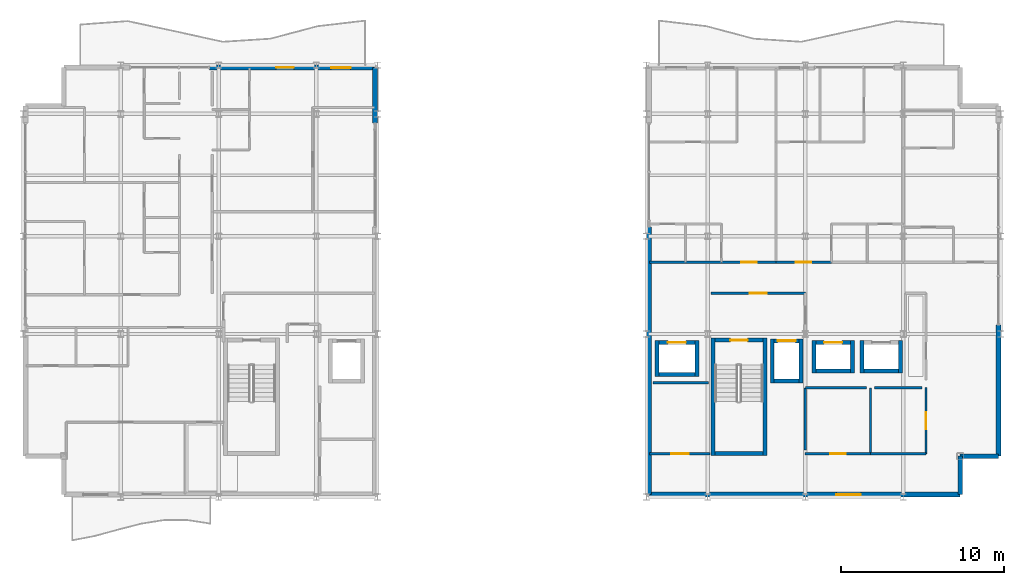
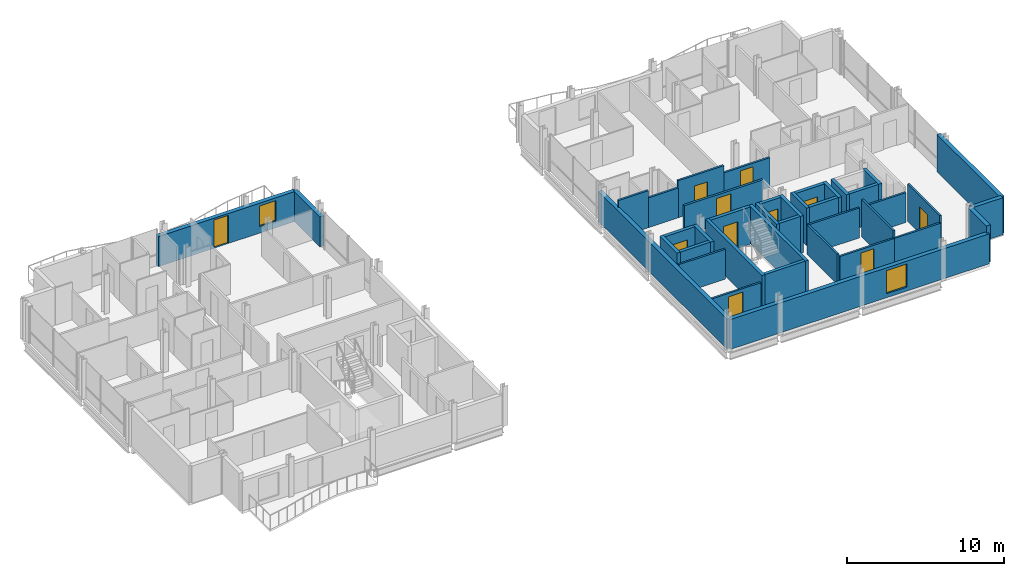
# One storey, part 25 of 29: 40 walls, 11 doors, 2 windows, 13 openings.
"""IFC4 building model written with IfcOpenShell, lengths in metres."""

from ifc_helpers import new_model, si_unit, direction, frame, frame_2d, origin, place, context, subcontext, project, spatial, rectangle, extrude, material, layer, layer_set, type_object, element, fill, save


model = new_model("IFC4")

# Units and contexts
model_context = context("Model", 3, precision=1e-05, world=origin(), true_north=direction((0.0, 1.0)))
body_context = subcontext(model_context, "Body", "Model", "MODEL_VIEW")
ifc_project = project(units=[si_unit("LENGTHUNIT", "METRE"), si_unit("AREAUNIT", "SQUARE_METRE"), si_unit("VOLUMEUNIT", "CUBIC_METRE"), si_unit("PLANEANGLEUNIT", "RADIAN"), si_unit("MASSUNIT", "GRAM", prefix="KILO")], contexts=[model_context])

# Site, building, storey
site_placement = place(None, origin())
site = spatial("IfcSite", under=ifc_project, at=site_placement, CompositionType="ELEMENT")
building_placement = place(site_placement, origin())
building = spatial("IfcBuilding", under=site, at=building_placement, Name="Brevholm Reach", CompositionType="ELEMENT")
storey_placement = place(building_placement, frame((0.0, 0.0, 201.800048828125)))
storey = spatial("IfcBuildingStorey", under=building, at=storey_placement, Name="L61", CompositionType="ELEMENT", Elevation=201.800048828125)

# Walls
ifc_material_1 = material(Name="Concrete C45/55", Category="concrete")
ifc_layer_1 = layer(ifc_material_1, 0.239990234375)
ifc_layer_set_1 = layer_set([ifc_layer_1], Name="Concrete C45/55")
wall_type_1 = type_object("IfcWallType", Name="WAL-COR-240", PredefinedType="SHEAR", material=ifc_layer_set_1)
for number, where, z_axis, x_axis, name in (
    (1, (42.330078125, 2.5400390625, 0.0), (0.0, 0.0, 1.0), (0.0, 1.0, 0.0), "L61 Escape Stair ST-2 Core Wall W"),
    (2, (45.52001953125, 2.5400390625, 0.0), (0.0, 0.0, 1.0), (0.0, 1.0, 0.0), "L61 Escape Stair ST-2 Core Wall E"),
):
    element("IfcWall", number, at=place(storey_placement, frame(where, z_axis=z_axis, x_axis=x_axis)), inside=storey, type_object=wall_type_1, Name=name, PredefinedType="SHEAR", context=body_context, shape_type="SweptSolid", body=[
        extrude(rectangle(XDim=7.199951171875, YDim=0.239990234375, at=frame_2d((3.60009765625, 0.0))), origin(), (0.0, 0.0, 1.0), 2.889892578125),
    ])
wall_1_placement = place(storey_placement, frame((42.449951171875, 2.659912109375, 0.0), z_axis=(0.0, 0.0, 1.0), x_axis=(1.0, 0.0, 0.0)))
element("IfcWall", 3, at=wall_1_placement, inside=storey, type_object=wall_type_1, Name="L61 Escape Stair ST-2 Core Wall S", PredefinedType="SHEAR", context=body_context, shape_type="SweptSolid", body=[
    extrude(rectangle(XDim=2.949951171875, YDim=0.239990234375, at=frame_2d((1.47509765625, 0.0))), origin(), (0.0, 0.0, 1.0), 2.889892578125),
])

# Wall, opening, door
wall_2_placement = place(storey_placement, frame((45.39990234375, 9.6201171875, 0.0), z_axis=(0.0, 0.0, 1.0), x_axis=(-1.0, 0.0, 0.0)))
wall_2 = element("IfcWall", 4, at=wall_2_placement, inside=storey, type_object=wall_type_1, Name="L61 Escape Stair ST-2 Core Wall N", PredefinedType="SHEAR", context=body_context, shape_type="SweptSolid", body=[
    extrude(rectangle(XDim=2.949951171875, YDim=0.239990234375, at=frame_2d((1.47509765625, 0.0))), origin(), (0.0, 0.0, 1.0), 2.889892578125),
])
opening_1_placement = place(wall_2_placement, frame((0.949951171875, 0.0, 0.0)))
opening_1 = element("IfcOpeningElement", 5, at=opening_1_placement, cuts=wall_2, Name="Opening SD-ST-2", PredefinedType="OPENING", context=body_context, shape_type="SweptSolid", body=[
    extrude(rectangle(XDim=1.050048828125, YDim=2.06005859375, at=frame_2d((0.52490234375, 1.030029296875))), frame((0.0, 0.1298828125, 0.0), z_axis=(0.0, -1.0, 0.0), x_axis=(1.0, 0.0, 0.0)), (0.0, 0.0, 1.0), 0.260009765625),
])
ifc_material_2 = material(Name="Hardwood-Lipped Steel-Core Fire and Smoke Door", Category="steel")
door_type_1 = type_object("IfcDoorType", Name="DOR-INT-FD60S", OperationType="NOTDEFINED", PredefinedType="DOOR", material=ifc_material_2)
door_1_placement = place(opening_1_placement, origin())
door_1 = element("IfcDoor", 6, at=door_1_placement, inside=storey, type_object=door_type_1, Name="L61 Protected Stair ST-2 Lobby Door", OperationType="SINGLE_SWING_RIGHT", OverallHeight=2.06005859375, OverallWidth=1.050048828125, PredefinedType="DOOR", context=body_context, shape_type="SweptSolid", body=[
    extrude(rectangle(XDim=1.050048828125, YDim=2.06005859375, at=frame_2d((0.52490234375, 1.030029296875))), frame((0.0, 0.02490234375, 0.0), z_axis=(0.0, -1.0, 0.0), x_axis=(1.0, 0.0, 0.0)), (0.0, 0.0, 1.0), 0.050048828125),
])
fill(opening_1, door_1)

# Walls
for number, where, z_axis, x_axis, name in (
    (7, (45.969970703125, 7.0, 0.0), (0.0, 0.0, 1.0), (0.0, 1.0, 0.0), "L61 Lift FFL-2 Shaft Wall W"),
    (8, (47.72998046875, 7.0, 0.0), (0.0, 0.0, 1.0), (0.0, 1.0, 0.0), "L61 Lift FFL-2 Shaft Wall E"),
):
    element("IfcWall", number, at=place(storey_placement, frame(where, z_axis=z_axis, x_axis=x_axis)), inside=storey, type_object=wall_type_1, Name=name, PredefinedType="SHEAR", context=body_context, shape_type="SweptSolid", body=[
        extrude(rectangle(XDim=2.699951171875, YDim=0.239990234375, at=frame_2d((1.35009765625, 0.0))), origin(), (0.0, 0.0, 1.0), 2.889892578125),
    ])
wall_3_placement = place(storey_placement, frame((46.090087890625, 7.1201171875, 0.0), z_axis=(0.0, 0.0, 1.0), x_axis=(1.0, 0.0, 0.0)))
element("IfcWall", 9, at=wall_3_placement, inside=storey, type_object=wall_type_1, Name="L61 Lift FFL-2 Shaft Wall S", PredefinedType="SHEAR", context=body_context, shape_type="SweptSolid", body=[
    extrude(rectangle(XDim=1.52001953125, YDim=0.239990234375, at=frame_2d((0.760009765625, 0.0))), origin(), (0.0, 0.0, 1.0), 2.889892578125),
])

# Wall, opening, door
wall_4_placement = place(storey_placement, frame((46.090087890625, 9.580078125, 0.0), z_axis=(0.0, 0.0, 1.0), x_axis=(1.0, 0.0, 0.0)))
wall_4 = element("IfcWall", 10, at=wall_4_placement, inside=storey, type_object=wall_type_1, Name="L61 Lift FFL-2 Shaft Wall N", PredefinedType="SHEAR", context=body_context, shape_type="SweptSolid", body=[
    extrude(rectangle(XDim=1.52001953125, YDim=0.239990234375, at=frame_2d((0.760009765625, 0.0))), origin(), (0.0, 0.0, 1.0), 2.889892578125),
])
opening_2_placement = place(wall_4_placement, frame((0.2099609375, 0.0, 0.0)))
opening_2 = element("IfcOpeningElement", 11, at=opening_2_placement, cuts=wall_4, Name="Opening LD-FFL-2", PredefinedType="OPENING", context=body_context, shape_type="SweptSolid", body=[
    extrude(rectangle(XDim=1.10009765625, YDim=2.06005859375, at=frame_2d((0.550048828125, 1.030029296875))), frame((0.0, 0.1298828125, 0.0), z_axis=(0.0, -1.0, 0.0), x_axis=(1.0, 0.0, 0.0)), (0.0, 0.0, 1.0), 0.260009765625),
])
ifc_material_3 = material(Name="Brushed Stainless Steel Fire-Rated Sliding Lift Door", Category="steel")
door_type_2 = type_object("IfcDoorType", Name="DOR-LFT-1100", OperationType="NOTDEFINED", PredefinedType="DOOR", material=ifc_material_3)
door_2_placement = place(opening_2_placement, origin())
door_2 = element("IfcDoor", 12, at=door_2_placement, inside=storey, type_object=door_type_2, Name="L61 Lift FFL-2 Sliding Landing Door", OperationType="SLIDING_TO_RIGHT", OverallHeight=2.06005859375, OverallWidth=1.10009765625, PredefinedType="DOOR", context=body_context, shape_type="SweptSolid", body=[
    extrude(rectangle(XDim=1.10009765625, YDim=2.06005859375, at=frame_2d((0.550048828125, 1.030029296875))), frame((0.0, 0.02490234375, 0.0), z_axis=(0.0, -1.0, 0.0), x_axis=(1.0, 0.0, 0.0)), (0.0, 0.0, 1.0), 0.050048828125),
])
fill(opening_2, door_2)

# Walls
for number, where, z_axis, x_axis, name in (
    (13, (38.889892578125, 7.39990234375, 0.0), (0.0, 0.0, 1.0), (0.0, 1.0, 0.0), "L61 Lift PL-S1 Shaft Wall W"),
    (14, (41.35009765625, 7.39990234375, 0.0), (0.0, 0.0, 1.0), (0.0, 1.0, 0.0), "L61 Lift PL-S1 Shaft Wall E"),
):
    element("IfcWall", number, at=place(storey_placement, frame(where, z_axis=z_axis, x_axis=x_axis)), inside=storey, type_object=wall_type_1, Name=name, PredefinedType="SHEAR", context=body_context, shape_type="SweptSolid", body=[
        extrude(rectangle(XDim=2.2001953125, YDim=0.239990234375, at=frame_2d((1.10009765625, 0.0))), origin(), (0.0, 0.0, 1.0), 2.889892578125),
    ])
wall_5_placement = place(storey_placement, frame((39.010009765625, 7.52001953125, 0.0), z_axis=(0.0, 0.0, 1.0), x_axis=(1.0, 0.0, 0.0)))
element("IfcWall", 15, at=wall_5_placement, inside=storey, type_object=wall_type_1, Name="L61 Lift PL-S1 Shaft Wall S", PredefinedType="SHEAR", context=body_context, shape_type="SweptSolid", body=[
    extrude(rectangle(XDim=2.219970703125, YDim=0.239990234375, at=frame_2d((1.10986328125, 0.0))), origin(), (0.0, 0.0, 1.0), 2.889892578125),
])

# Wall, opening, door
wall_6_placement = place(storey_placement, frame((39.010009765625, 9.47998046875, 0.0), z_axis=(0.0, 0.0, 1.0), x_axis=(1.0, 0.0, 0.0)))
wall_6 = element("IfcWall", 16, at=wall_6_placement, inside=storey, type_object=wall_type_1, Name="L61 Lift PL-S1 Shaft Wall N", PredefinedType="SHEAR", context=body_context, shape_type="SweptSolid", body=[
    extrude(rectangle(XDim=2.219970703125, YDim=0.239990234375, at=frame_2d((1.10986328125, 0.0))), origin(), (0.0, 0.0, 1.0), 2.889892578125),
])
opening_3_placement = place(wall_6_placement, frame((0.56005859375, 0.0, 0.0)))
opening_3 = element("IfcOpeningElement", 17, at=opening_3_placement, cuts=wall_6, Name="Opening LD-PL-S1", PredefinedType="OPENING", context=body_context, shape_type="SweptSolid", body=[
    extrude(rectangle(XDim=1.10009765625, YDim=2.06005859375, at=frame_2d((0.550048828125, 1.030029296875))), frame((0.0, 0.1298828125, 0.0), z_axis=(0.0, -1.0, 0.0), x_axis=(1.0, 0.0, 0.0)), (0.0, 0.0, 1.0), 0.260009765625),
])
door_3_placement = place(opening_3_placement, origin())
door_3 = element("IfcDoor", 18, at=door_3_placement, inside=storey, type_object=door_type_2, Name="L61 Lift PL-S1 Sliding Landing Door", OperationType="SLIDING_TO_LEFT", OverallHeight=2.06005859375, OverallWidth=1.10009765625, PredefinedType="DOOR", context=body_context, shape_type="SweptSolid", body=[
    extrude(rectangle(XDim=1.10009765625, YDim=2.06005859375, at=frame_2d((0.550048828125, 1.030029296875))), frame((0.0, 0.02490234375, 0.0), z_axis=(0.0, -1.0, 0.0), x_axis=(1.0, 0.0, 0.0)), (0.0, 0.0, 1.0), 0.050048828125),
])
fill(opening_3, door_3)

# Walls
for number, where, z_axis, x_axis, name in (
    (19, (48.52001953125, 7.60009765625, 0.0), (0.0, 0.0, 1.0), (0.0, 1.0, 0.0), "L61 Lift PL-H1 Shaft Wall W"),
    (20, (50.8798828125, 7.60009765625, 0.0), (0.0, 0.0, 1.0), (0.0, 1.0, 0.0), "L61 Lift PL-H1 Shaft Wall E"),
):
    element("IfcWall", number, at=place(storey_placement, frame(where, z_axis=z_axis, x_axis=x_axis)), inside=storey, type_object=wall_type_1, Name=name, PredefinedType="SHEAR", context=body_context, shape_type="SweptSolid", body=[
        extrude(rectangle(XDim=2.0, YDim=0.239990234375, at=frame_2d((1.0, 0.0))), origin(), (0.0, 0.0, 1.0), 2.889892578125),
    ])
wall_7_placement = place(storey_placement, frame((48.639892578125, 7.719970703125, 0.0), z_axis=(0.0, 0.0, 1.0), x_axis=(1.0, 0.0, 0.0)))
element("IfcWall", 21, at=wall_7_placement, inside=storey, type_object=wall_type_1, Name="L61 Lift PL-H1 Shaft Wall S", PredefinedType="SHEAR", context=body_context, shape_type="SweptSolid", body=[
    extrude(rectangle(XDim=2.1201171875, YDim=0.239990234375, at=frame_2d((1.06005859375, 0.0))), origin(), (0.0, 0.0, 1.0), 2.889892578125),
])

# Wall, opening, door
wall_8_placement = place(storey_placement, frame((48.639892578125, 9.47998046875, 0.0), z_axis=(0.0, 0.0, 1.0), x_axis=(1.0, 0.0, 0.0)))
wall_8 = element("IfcWall", 22, at=wall_8_placement, inside=storey, type_object=wall_type_1, Name="L61 Lift PL-H1 Shaft Wall N", PredefinedType="SHEAR", context=body_context, shape_type="SweptSolid", body=[
    extrude(rectangle(XDim=2.1201171875, YDim=0.239990234375, at=frame_2d((1.06005859375, 0.0))), origin(), (0.0, 0.0, 1.0), 2.889892578125),
])
opening_4_placement = place(wall_8_placement, frame((0.510009765625, 0.0, 0.0)))
opening_4 = element("IfcOpeningElement", 23, at=opening_4_placement, cuts=wall_8, Name="Opening LD-PL-H1", PredefinedType="OPENING", context=body_context, shape_type="SweptSolid", body=[
    extrude(rectangle(XDim=1.10009765625, YDim=2.06005859375, at=frame_2d((0.550048828125, 1.030029296875))), frame((0.0, 0.1298828125, 0.0), z_axis=(0.0, -1.0, 0.0), x_axis=(1.0, 0.0, 0.0)), (0.0, 0.0, 1.0), 0.260009765625),
])
door_4_placement = place(opening_4_placement, origin())
door_4 = element("IfcDoor", 24, at=door_4_placement, inside=storey, type_object=door_type_2, Name="L61 Lift PL-H1 Sliding Landing Door", OperationType="SLIDING_TO_RIGHT", OverallHeight=2.06005859375, OverallWidth=1.10009765625, PredefinedType="DOOR", context=body_context, shape_type="SweptSolid", body=[
    extrude(rectangle(XDim=1.10009765625, YDim=2.06005859375, at=frame_2d((0.550048828125, 1.030029296875))), frame((0.0, 0.02490234375, 0.0), z_axis=(0.0, -1.0, 0.0), x_axis=(1.0, 0.0, 0.0)), (0.0, 0.0, 1.0), 0.050048828125),
])
fill(opening_4, door_4)

# Walls
for number, where, z_axis, x_axis, name in (
    (25, (51.469970703125, 7.60009765625, 0.0), (0.0, 0.0, 1.0), (0.0, 1.0, 0.0), "L61 Lift PL-H2 Shaft Wall W"),
    (26, (53.830078125, 7.60009765625, 0.0), (0.0, 0.0, 1.0), (0.0, 1.0, 0.0), "L61 Lift PL-H2 Shaft Wall E"),
):
    element("IfcWall", number, at=place(storey_placement, frame(where, z_axis=z_axis, x_axis=x_axis)), inside=storey, type_object=wall_type_1, Name=name, PredefinedType="SHEAR", context=body_context, shape_type="SweptSolid", body=[
        extrude(rectangle(XDim=2.0, YDim=0.239990234375, at=frame_2d((1.0, 0.0))), origin(), (0.0, 0.0, 1.0), 2.889892578125),
    ])
wall_9_placement = place(storey_placement, frame((51.590087890625, 7.719970703125, 0.0), z_axis=(0.0, 0.0, 1.0), x_axis=(1.0, 0.0, 0.0)))
element("IfcWall", 27, at=wall_9_placement, inside=storey, type_object=wall_type_1, Name="L61 Lift PL-H2 Shaft Wall S", PredefinedType="SHEAR", context=body_context, shape_type="SweptSolid", body=[
    extrude(rectangle(XDim=2.119873046875, YDim=0.239990234375, at=frame_2d((1.06005859375, 0.0))), origin(), (0.0, 0.0, 1.0), 2.889892578125),
])
ifc_material_4 = material(Name="Concrete C40/50", Category="concrete")
ifc_layer_2 = layer(ifc_material_4, 0.300048828125)
ifc_layer_set_2 = layer_set([ifc_layer_2], Name="Concrete C40/50")
wall_type_2 = type_object("IfcWallType", Name="WAL-EXT-300", PredefinedType="STANDARD", material=ifc_layer_set_2)
for number, where, z_axis, x_axis, name in (
    (28, (57.5, 0.14990234375, 0.0), (0.0, 0.0, 1.0), (0.0, 1.0, 0.0), "L61 Facade Wall WAL-L61-EW-CSE1"),
    (29, (57.5, 2.5, 0.0), (0.0, 0.0, 1.0), (1.0, 0.0, 0.0), "L61 Facade Wall WAL-L61-EW-CSE2"),
):
    element("IfcWall", number, at=place(storey_placement, frame(where, z_axis=z_axis, x_axis=x_axis)), inside=storey, type_object=wall_type_2, Name=name, PredefinedType="STANDARD", context=body_context, shape_type="SweptSolid", body=[
        extrude(rectangle(XDim=2.35009765625, YDim=0.300048828125, at=frame_2d((1.175048828125, 0.0))), origin(), (0.0, 0.0, 1.0), 2.889892578125),
    ])

# Wall, openings, door, window
wall_10_placement = place(storey_placement, frame((11.449951171875, 26.35009765625, 0.0), z_axis=(0.0, 0.0, 1.0), x_axis=(1.0, 0.0, 0.0)))
wall_10 = element("IfcWall", 30, at=wall_10_placement, inside=storey, type_object=wall_type_2, Name="L61 Facade Wall WAL-L61-WW-NP2", PredefinedType="STANDARD", context=body_context, shape_type="SweptSolid", body=[
    extrude(rectangle(XDim=10.150146484375, YDim=0.300048828125, at=frame_2d((5.0751953125, 0.0))), origin(), (0.0, 0.0, 1.0), 2.331787109375),
])
opening_5_placement = place(wall_10_placement, frame((4.073974609375, 0.0, 0.0)))
opening_5 = element("IfcOpeningElement", 31, at=opening_5_placement, cuts=wall_10, Name="Opening BD-01", PredefinedType="OPENING", context=body_context, shape_type="SweptSolid", body=[
    extrude(rectangle(XDim=1.10009765625, YDim=2.199951171875, at=frame_2d((0.550048828125, 1.10009765625))), frame((0.0, 0.159912109375, 0.0), z_axis=(0.0, -1.0, 0.0), x_axis=(1.0, 0.0, 0.0)), (0.0, 0.0, 1.0), 0.320068359375),
])
opening_6_placement = place(wall_10_placement, frame((7.449951171875, 0.0, 0.511962890625)))
opening_6 = element("IfcOpeningElement", 32, at=opening_6_placement, cuts=wall_10, Name="Opening WN-08", PredefinedType="OPENING", context=body_context, shape_type="SweptSolid", body=[
    extrude(rectangle(XDim=1.199951171875, YDim=1.60009765625, at=frame_2d((0.60009765625, 0.800048828125))), frame((0.0, 0.159912109375, 0.0), z_axis=(0.0, -1.0, 0.0), x_axis=(1.0, 0.0, 0.0)), (0.0, 0.0, 1.0), 0.320068359375),
])
ifc_material_5 = material(Name="Dark Anodised Aluminium and Triple-Glazed Glass", Category="aluminium")
door_type_3 = type_object("IfcDoorType", Name="DOR-BALC-1100", OperationType="NOTDEFINED", PredefinedType="DOOR", material=ifc_material_5)
door_5_placement = place(opening_5_placement, origin())
door_5 = element("IfcDoor", 33, at=door_5_placement, inside=storey, type_object=door_type_3, Name="L61 Exterior Door DOR-L61-BL-NW", OperationType="SINGLE_SWING_RIGHT", OverallHeight=2.199951171875, OverallWidth=1.10009765625, PredefinedType="DOOR", context=body_context, shape_type="SweptSolid", body=[
    extrude(rectangle(XDim=1.10009765625, YDim=2.199951171875, at=frame_2d((0.550048828125, 1.10009765625))), frame((0.0, 0.02490234375, 0.0), z_axis=(0.0, -1.0, 0.0), x_axis=(1.0, 0.0, 0.0)), (0.0, 0.0, 1.0), 0.050048828125),
])
fill(opening_5, door_5)
ifc_material_6 = material(Name="Dark Anodised Aluminium and Solar-Control IGU Glass", Category="aluminium")
window_type_1 = type_object("IfcWindowType", Name="WIN-RES-1200", PartitioningType="SINGLE_PANEL", PredefinedType="WINDOW", material=ifc_material_6)
window_1_placement = place(opening_6_placement, origin())
window_1 = element("IfcWindow", 34, at=window_1_placement, inside=storey, type_object=window_type_1, Name="L61 Window WIN-L61-WW-NP2", OverallHeight=1.60009765625, OverallWidth=1.199951171875, PartitioningType="SINGLE_PANEL", PredefinedType="WINDOW", context=body_context, shape_type="SweptSolid", body=[
    extrude(rectangle(XDim=1.199951171875, YDim=1.60009765625, at=frame_2d((0.60009765625, 0.800048828125))), frame((0.0, 0.030029296875, 0.0), z_axis=(0.0, -1.0, 0.0), x_axis=(1.0, 0.0, 0.0)), (0.0, 0.0, 1.0), 0.06005859375),
])
fill(opening_6, window_1)

# Walls
wall_11_placement = place(storey_placement, frame((21.60009765625, 22.949951171875, 0.0), z_axis=(0.0, 0.0, 1.0), x_axis=(0.0, 1.0, 0.0)))
element("IfcWall", 35, at=wall_11_placement, inside=storey, type_object=wall_type_2, Name="L61 Facade Wall WAL-L61-VP-WN", PredefinedType="STANDARD", context=body_context, shape_type="SweptSolid", body=[
    extrude(rectangle(XDim=3.400146484375, YDim=0.300048828125, at=frame_2d((1.7001953125, 0.0))), origin(), (0.0, 0.0, 1.0), 2.331787109375),
])
wall_12_placement = place(storey_placement, frame((38.39990234375, 16.550048828125, 0.0), z_axis=(0.0, 0.0, 1.0), x_axis=(0.0, -1.0, 0.0)))
element("IfcWall", 36, at=wall_12_placement, inside=storey, type_object=wall_type_2, Name="L61 Facade Wall WAL-L61-VP-ES", PredefinedType="STANDARD", context=body_context, shape_type="SweptSolid", body=[
    extrude(rectangle(XDim=16.400146484375, YDim=0.300048828125, at=frame_2d((8.2001953125, 0.0))), origin(), (0.0, 0.0, 1.0), 2.331787109375),
])

# Wall, opening, window
wall_13_placement = place(storey_placement, frame((38.39990234375, 0.14990234375, 0.0), z_axis=(0.0, 0.0, 1.0), x_axis=(1.0, 0.0, 0.0)))
wall_13 = element("IfcWall", 37, at=wall_13_placement, inside=storey, type_object=wall_type_2, Name="L61 Facade Wall WAL-L61-EW-S", PredefinedType="STANDARD", context=body_context, shape_type="SweptSolid", body=[
    extrude(rectangle(XDim=19.10009765625, YDim=0.300048828125, at=frame_2d((9.550048828125, 0.0))), origin(), (0.0, 0.0, 1.0), 2.331787109375),
])
opening_7_placement = place(wall_13_placement, frame((11.5, 0.0, 0.31201171875)))
opening_7 = element("IfcOpeningElement", 38, at=opening_7_placement, cuts=wall_13, Name="Opening WN-05", PredefinedType="OPENING", context=body_context, shape_type="SweptSolid", body=[
    extrude(rectangle(XDim=1.5, YDim=1.800048828125, at=frame_2d((0.75, 0.89990234375))), frame((0.0, 0.159912109375, 0.0), z_axis=(0.0, -1.0, 0.0), x_axis=(1.0, 0.0, 0.0)), (0.0, 0.0, 1.0), 0.320068359375),
])
ifc_material_7 = material(Name="Dark Anodised Aluminium and Solar-Control IGU Glass", Category="aluminium")
window_type_2 = type_object("IfcWindowType", Name="WIN-RES-1500", PartitioningType="SINGLE_PANEL", PredefinedType="WINDOW", material=ifc_material_7)
window_2_placement = place(opening_7_placement, origin())
window_2 = element("IfcWindow", 39, at=window_2_placement, inside=storey, type_object=window_type_2, Name="L61 Window WIN-L61-EWS-1", OverallHeight=1.800048828125, OverallWidth=1.5, PartitioningType="SINGLE_PANEL", PredefinedType="WINDOW", context=body_context, shape_type="SweptSolid", body=[
    extrude(rectangle(XDim=1.5, YDim=1.800048828125, at=frame_2d((0.75, 0.89990234375))), frame((0.0, 0.030029296875, 0.0), z_axis=(0.0, -1.0, 0.0), x_axis=(1.0, 0.0, 0.0)), (0.0, 0.0, 1.0), 0.06005859375),
])
fill(opening_7, window_2)

# Wall
wall_14_placement = place(storey_placement, frame((59.85009765625, 2.5, 0.0), z_axis=(0.0, 0.0, 1.0), x_axis=(0.0, 1.0, 0.0)))
element("IfcWall", 40, at=wall_14_placement, inside=storey, type_object=wall_type_2, Name="L61 Facade Wall WAL-L61-EW-ES", PredefinedType="STANDARD", context=body_context, shape_type="SweptSolid", body=[
    extrude(rectangle(XDim=8.050048828125, YDim=0.300048828125, at=frame_2d((4.02490234375, 0.0))), origin(), (0.0, 0.0, 1.0), 2.889892578125),
])

# Wall, opening, door
ifc_material_8 = material(Name="Twin-Stud Acoustic Fire-Rated Gypsum Partition 140 mm", Category="gypsum")
ifc_layer_3 = layer(ifc_material_8, 0.139892578125)
ifc_layer_set_3 = layer_set([ifc_layer_3], Name="Twin-Stud Acoustic Fire-Rated Gypsum Partition 140 mm")
wall_type_3 = type_object("IfcWallType", Name="WAL-PRT-140", PredefinedType="PARTITIONING", material=ifc_layer_set_3)
wall_15_placement = place(storey_placement, frame((55.39990234375, 2.64990234375, 0.0), z_axis=(0.0, 0.0, 1.0), x_axis=(0.0, 1.0, 0.0)))
wall_15 = element("IfcWall", 41, at=wall_15_placement, inside=storey, type_object=wall_type_3, Name="L61 Internal Partition 006", PredefinedType="PARTITIONING", context=body_context, shape_type="SweptSolid", body=[
    extrude(rectangle(XDim=4.061279296875, YDim=0.139892578125, at=frame_2d((2.03076171875, 0.0))), origin(), (0.0, 0.0, 1.0), 2.889892578125),
])
opening_8_placement = place(wall_15_placement, frame((1.505615234375, 0.0, 0.0)))
opening_8 = element("IfcOpeningElement", 42, at=opening_8_placement, cuts=wall_15, Name="Opening FD-01", PredefinedType="OPENING", context=body_context, shape_type="SweptSolid", body=[
    extrude(rectangle(XDim=1.050048828125, YDim=2.06005859375, at=frame_2d((0.52490234375, 1.030029296875))), frame((0.0, 0.079833984375, 0.0), z_axis=(0.0, -1.0, 0.0), x_axis=(1.0, 0.0, 0.0)), (0.0, 0.0, 1.0), 0.159912109375),
])
door_6_placement = place(opening_8_placement, origin())
door_6 = element("IfcDoor", 43, at=door_6_placement, inside=storey, type_object=door_type_1, Name="L61 Internal Door 004", OperationType="SINGLE_SWING_LEFT", OverallHeight=2.06005859375, OverallWidth=1.050048828125, PredefinedType="DOOR", context=body_context, shape_type="SweptSolid", body=[
    extrude(rectangle(XDim=1.050048828125, YDim=2.06005859375, at=frame_2d((0.52490234375, 1.030029296875))), frame((0.0, 0.02490234375, 0.0), z_axis=(0.0, -1.0, 0.0), x_axis=(1.0, 0.0, 0.0)), (0.0, 0.0, 1.0), 0.050048828125),
])
fill(opening_8, door_6)

wall_16_placement = place(storey_placement, frame((38.449951171875, 2.64990234375, 0.0), z_axis=(0.0, 0.0, 1.0), x_axis=(1.0, 0.0, 0.0)))
wall_16 = element("IfcWall", 44, at=wall_16_placement, inside=storey, type_object=wall_type_3, Name="L61 Internal Partition 008", PredefinedType="PARTITIONING", context=body_context, shape_type="SweptSolid", body=[
    extrude(rectangle(XDim=3.71142578125, YDim=0.139892578125, at=frame_2d((1.855712890625, 0.0))), origin(), (0.0, 0.0, 1.0), 2.325439453125),
])
opening_9_placement = place(wall_16_placement, frame((1.33056640625, 0.0, 0.0)))
opening_9 = element("IfcOpeningElement", 45, at=opening_9_placement, cuts=wall_16, Name="Opening FD-01", PredefinedType="OPENING", context=body_context, shape_type="SweptSolid", body=[
    extrude(rectangle(XDim=1.050048828125, YDim=2.06005859375, at=frame_2d((0.52490234375, 1.030029296875))), frame((0.0, 0.079833984375, 0.0), z_axis=(0.0, -1.0, 0.0), x_axis=(1.0, 0.0, 0.0)), (0.0, 0.0, 1.0), 0.159912109375),
])
door_7_placement = place(opening_9_placement, origin())
door_7 = element("IfcDoor", 46, at=door_7_placement, inside=storey, type_object=door_type_1, Name="L61 Internal Door 006", OperationType="SINGLE_SWING_LEFT", OverallHeight=2.06005859375, OverallWidth=1.050048828125, PredefinedType="DOOR", context=body_context, shape_type="SweptSolid", body=[
    extrude(rectangle(XDim=1.050048828125, YDim=2.06005859375, at=frame_2d((0.52490234375, 1.030029296875))), frame((0.0, 0.02490234375, 0.0), z_axis=(0.0, -1.0, 0.0), x_axis=(1.0, 0.0, 0.0)), (0.0, 0.0, 1.0), 0.050048828125),
])
fill(opening_9, door_7)

wall_17_placement = place(storey_placement, frame((47.98876953125, 2.64990234375, 0.0), z_axis=(0.0, 0.0, 1.0), x_axis=(1.0, 0.0, 0.0)))
wall_17 = element("IfcWall", 47, at=wall_17_placement, inside=storey, type_object=wall_type_3, Name="L61 Internal Partition 009", PredefinedType="PARTITIONING", context=body_context, shape_type="SweptSolid", body=[
    extrude(rectangle(XDim=4.0224609375, YDim=0.139892578125, at=frame_2d((2.01123046875, 0.0))), origin(), (0.0, 0.0, 1.0), 2.325439453125),
])
opening_10_placement = place(wall_17_placement, frame((1.536376953125, 0.0, 0.0)))
opening_10 = element("IfcOpeningElement", 48, at=opening_10_placement, cuts=wall_17, Name="Opening ID-30", PredefinedType="OPENING", context=body_context, shape_type="SweptSolid", body=[
    extrude(rectangle(XDim=0.949951171875, YDim=2.050048828125, at=frame_2d((0.47509765625, 1.02490234375))), frame((0.0, 0.079833984375, 0.0), z_axis=(0.0, -1.0, 0.0), x_axis=(1.0, 0.0, 0.0)), (0.0, 0.0, 1.0), 0.159912109375),
])
ifc_material_9 = material(Name="European Oak Veneered Solid-Core Fire Entrance Door", Category="timber")
door_type_4 = type_object("IfcDoorType", Name="DOR-FLT-FD30S", OperationType="NOTDEFINED", PredefinedType="DOOR", material=ifc_material_9)
door_8_placement = place(opening_10_placement, origin())
door_8 = element("IfcDoor", 49, at=door_8_placement, inside=storey, type_object=door_type_4, Name="L61 Internal Door 007", OperationType="SINGLE_SWING_RIGHT", OverallHeight=2.050048828125, OverallWidth=0.949951171875, PredefinedType="DOOR", context=body_context, shape_type="SweptSolid", body=[
    extrude(rectangle(XDim=0.949951171875, YDim=2.050048828125, at=frame_2d((0.47509765625, 1.02490234375))), frame((0.0, 0.02490234375, 0.0), z_axis=(0.0, -1.0, 0.0), x_axis=(1.0, 0.0, 0.0)), (0.0, 0.0, 1.0), 0.050048828125),
])
fill(opening_10, door_8)

# Walls
wall_18_placement = place(storey_placement, frame((51.99267578125, 2.64990234375, 0.0), z_axis=(0.0, 0.0, 1.0), x_axis=(1.0, 0.0, 0.0)))
element("IfcWall", 50, at=wall_18_placement, inside=storey, type_object=wall_type_3, Name="L61 Internal Partition 010", PredefinedType="PARTITIONING", context=body_context, shape_type="SweptSolid", body=[
    extrude(rectangle(XDim=3.4033203125, YDim=0.139892578125, at=frame_2d((1.70166015625, 0.0))), origin(), (0.0, 0.0, 1.0), 2.325439453125),
])
wall_19_placement = place(storey_placement, frame((52.0, 2.654052734375, 0.0), z_axis=(0.0, 0.0, 1.0), x_axis=(0.0, 1.0, 0.0)))
element("IfcWall", 51, at=wall_19_placement, inside=storey, type_object=wall_type_3, Name="L61 Internal Partition 012", PredefinedType="PARTITIONING", context=body_context, shape_type="SweptSolid", body=[
    extrude(rectangle(XDim=4.0458984375, YDim=0.139892578125, at=frame_2d((2.02294921875, 0.0))), origin(), (0.0, 0.0, 1.0), 2.889892578125),
])
wall_20_placement = place(storey_placement, frame((38.449951171875, 14.39990234375, 0.0), z_axis=(0.0, 0.0, 1.0), x_axis=(1.0, 0.0, 0.0)))
element("IfcWall", 52, at=wall_20_placement, inside=storey, type_object=wall_type_3, Name="L61 Internal Partition 031", PredefinedType="PARTITIONING", context=body_context, shape_type="SweptSolid", body=[
    extrude(rectangle(XDim=2.21142578125, YDim=0.139892578125, at=frame_2d((1.105712890625, 0.0))), origin(), (0.0, 0.0, 1.0), 2.889892578125),
])
wall_21_placement = place(storey_placement, frame((40.642578125, 14.39990234375, 0.0), z_axis=(0.0, 0.0, 1.0), x_axis=(1.0, 0.0, 0.0)))
element("IfcWall", 53, at=wall_21_placement, inside=storey, type_object=wall_type_3, Name="L61 Internal Partition 032", PredefinedType="PARTITIONING", context=body_context, shape_type="SweptSolid", body=[
    extrude(rectangle(XDim=2.21875, YDim=0.139892578125, at=frame_2d((1.109375, 0.0))), origin(), (0.0, 0.0, 1.0), 2.325439453125),
])

# Wall, opening, door
wall_22_placement = place(storey_placement, frame((42.8427734375, 14.39990234375, 0.0), z_axis=(0.0, 0.0, 1.0), x_axis=(1.0, 0.0, 0.0)))
wall_22 = element("IfcWall", 54, at=wall_22_placement, inside=storey, type_object=wall_type_3, Name="L61 Internal Partition 033", PredefinedType="PARTITIONING", context=body_context, shape_type="SweptSolid", body=[
    extrude(rectangle(XDim=3.368408203125, YDim=0.139892578125, at=frame_2d((1.68408203125, 0.0))), origin(), (0.0, 0.0, 1.0), 2.889892578125),
])
opening_11_placement = place(wall_22_placement, frame((1.209228515625, 0.0, 0.0)))
opening_11 = element("IfcOpeningElement", 55, at=opening_11_placement, cuts=wall_22, Name="Opening ID-30", PredefinedType="OPENING", context=body_context, shape_type="SweptSolid", body=[
    extrude(rectangle(XDim=0.949951171875, YDim=2.050048828125, at=frame_2d((0.47509765625, 1.02490234375))), frame((0.0, 0.079833984375, 0.0), z_axis=(0.0, -1.0, 0.0), x_axis=(1.0, 0.0, 0.0)), (0.0, 0.0, 1.0), 0.159912109375),
])
door_9_placement = place(opening_11_placement, origin())
door_9 = element("IfcDoor", 56, at=door_9_placement, inside=storey, type_object=door_type_4, Name="L61 Internal Door 016", OperationType="SINGLE_SWING_LEFT", OverallHeight=2.050048828125, OverallWidth=0.949951171875, PredefinedType="DOOR", context=body_context, shape_type="SweptSolid", body=[
    extrude(rectangle(XDim=0.949951171875, YDim=2.050048828125, at=frame_2d((0.47509765625, 1.02490234375))), frame((0.0, 0.02490234375, 0.0), z_axis=(0.0, -1.0, 0.0), x_axis=(1.0, 0.0, 0.0)), (0.0, 0.0, 1.0), 0.050048828125),
])
fill(opening_11, door_9)

wall_23_placement = place(storey_placement, frame((46.192626953125, 14.39990234375, 0.0), z_axis=(0.0, 0.0, 1.0), x_axis=(1.0, 0.0, 0.0)))
wall_23 = element("IfcWall", 57, at=wall_23_placement, inside=storey, type_object=wall_type_3, Name="L61 Internal Partition 036", PredefinedType="PARTITIONING", context=body_context, shape_type="SweptSolid", body=[
    extrude(rectangle(XDim=3.414794921875, YDim=0.139892578125, at=frame_2d((1.70751953125, 0.0))), origin(), (0.0, 0.0, 1.0), 2.325439453125),
])
opening_12_placement = place(wall_23_placement, frame((1.232421875, 0.0, 0.0)))
opening_12 = element("IfcOpeningElement", 58, at=opening_12_placement, cuts=wall_23, Name="Opening ID-30", PredefinedType="OPENING", context=body_context, shape_type="SweptSolid", body=[
    extrude(rectangle(XDim=0.949951171875, YDim=2.050048828125, at=frame_2d((0.47509765625, 1.02490234375))), frame((0.0, 0.079833984375, 0.0), z_axis=(0.0, -1.0, 0.0), x_axis=(1.0, 0.0, 0.0)), (0.0, 0.0, 1.0), 0.159912109375),
])
door_10_placement = place(opening_12_placement, origin())
door_10 = element("IfcDoor", 59, at=door_10_placement, inside=storey, type_object=door_type_4, Name="L61 Internal Door 017", OperationType="SINGLE_SWING_RIGHT", OverallHeight=2.050048828125, OverallWidth=0.949951171875, PredefinedType="DOOR", context=body_context, shape_type="SweptSolid", body=[
    extrude(rectangle(XDim=0.949951171875, YDim=2.050048828125, at=frame_2d((0.47509765625, 1.02490234375))), frame((0.0, 0.02490234375, 0.0), z_axis=(0.0, -1.0, 0.0), x_axis=(1.0, 0.0, 0.0)), (0.0, 0.0, 1.0), 0.050048828125),
])
fill(opening_12, door_10)

# Walls
wall_24_placement = place(storey_placement, frame((38.639892578125, 7.0, 0.0), z_axis=(0.0, 0.0, 1.0), x_axis=(1.0, 0.0, 0.0)))
element("IfcWall", 60, at=wall_24_placement, inside=storey, type_object=wall_type_3, Name="L61 Internal Partition 095", PredefinedType="PARTITIONING", context=body_context, shape_type="SweptSolid", body=[
    extrude(rectangle(XDim=3.420166015625, YDim=0.139892578125, at=frame_2d((1.7099609375, 0.0))), origin(), (0.0, 0.0, 1.0), 2.325439453125),
])
wall_25_placement = place(storey_placement, frame((48.0, 6.699951171875, 0.0), z_axis=(0.0, 0.0, 1.0), x_axis=(1.0, 0.0, 0.0)))
element("IfcWall", 61, at=wall_25_placement, inside=storey, type_object=wall_type_3, Name="L61 Internal Partition 096", PredefinedType="PARTITIONING", context=body_context, shape_type="SweptSolid", body=[
    extrude(rectangle(XDim=3.760009765625, YDim=0.139892578125, at=frame_2d((1.8798828125, 0.0))), origin(), (0.0, 0.0, 1.0), 2.325439453125),
])
wall_26_placement = place(storey_placement, frame((48.0, 2.889892578125, 0.0), z_axis=(0.0, 0.0, 1.0), x_axis=(0.0, 1.0, 0.0)))
element("IfcWall", 62, at=wall_26_placement, inside=storey, type_object=wall_type_3, Name="L61 Internal Partition 097", PredefinedType="PARTITIONING", context=body_context, shape_type="SweptSolid", body=[
    extrude(rectangle(XDim=3.81005859375, YDim=0.139892578125, at=frame_2d((1.905029296875, 0.0))), origin(), (0.0, 0.0, 1.0), 2.325439453125),
])
wall_27_placement = place(storey_placement, frame((52.239990234375, 6.699951171875, 0.0), z_axis=(0.0, 0.0, 1.0), x_axis=(1.0, 0.0, 0.0)))
element("IfcWall", 63, at=wall_27_placement, inside=storey, type_object=wall_type_3, Name="L61 Internal Partition 098", PredefinedType="PARTITIONING", context=body_context, shape_type="SweptSolid", body=[
    extrude(rectangle(XDim=2.919921875, YDim=0.139892578125, at=frame_2d((1.4599609375, 0.0))), origin(), (0.0, 0.0, 1.0), 2.325439453125),
])

# Wall, opening, door
ifc_material_10 = material(Name="Twin-Frame Fire-Rated Gypsum Board and Mineral Wool 160 mm", Category="gypsum")
ifc_layer_4 = layer(ifc_material_10, 0.159912109375)
ifc_layer_set_4 = layer_set([ifc_layer_4], Name="Twin-Frame Fire-Rated Gypsum Board and Mineral Wool 160 mm")
wall_type_4 = type_object("IfcWallType", Name="WAL-PRT-160", PredefinedType="PARTITIONING", material=ifc_layer_set_4)
wall_28_placement = place(storey_placement, frame((42.199951171875, 12.5, 0.0), z_axis=(0.0, 0.0, 1.0), x_axis=(1.0, 0.0, 0.0)))
wall_28 = element("IfcWall", 64, at=wall_28_placement, inside=storey, type_object=wall_type_4, Name="L61 Internal Partition 028", PredefinedType="PARTITIONING", context=body_context, shape_type="SweptSolid", body=[
    extrude(rectangle(XDim=5.800048828125, YDim=0.159912109375, at=frame_2d((2.89990234375, 0.0))), origin(), (0.0, 0.0, 1.0), 2.325439453125),
])
opening_13_placement = place(wall_28_placement, frame((2.375, 0.0, 0.0)))
opening_13 = element("IfcOpeningElement", 65, at=opening_13_placement, cuts=wall_28, Name="Opening FD-01", PredefinedType="OPENING", context=body_context, shape_type="SweptSolid", body=[
    extrude(rectangle(XDim=1.050048828125, YDim=2.06005859375, at=frame_2d((0.52490234375, 1.030029296875))), frame((0.0, 0.08984375, 0.0), z_axis=(0.0, -1.0, 0.0), x_axis=(1.0, 0.0, 0.0)), (0.0, 0.0, 1.0), 0.179931640625),
])
door_11_placement = place(opening_13_placement, origin())
door_11 = element("IfcDoor", 66, at=door_11_placement, inside=storey, type_object=door_type_1, Name="L61 Internal Door 015", OperationType="SINGLE_SWING_RIGHT", OverallHeight=2.06005859375, OverallWidth=1.050048828125, PredefinedType="DOOR", context=body_context, shape_type="SweptSolid", body=[
    extrude(rectangle(XDim=1.050048828125, YDim=2.06005859375, at=frame_2d((0.52490234375, 1.030029296875))), frame((0.0, 0.02490234375, 0.0), z_axis=(0.0, -1.0, 0.0), x_axis=(1.0, 0.0, 0.0)), (0.0, 0.0, 1.0), 0.050048828125),
])
fill(opening_13, door_11)

save(model, "model.ifc")
